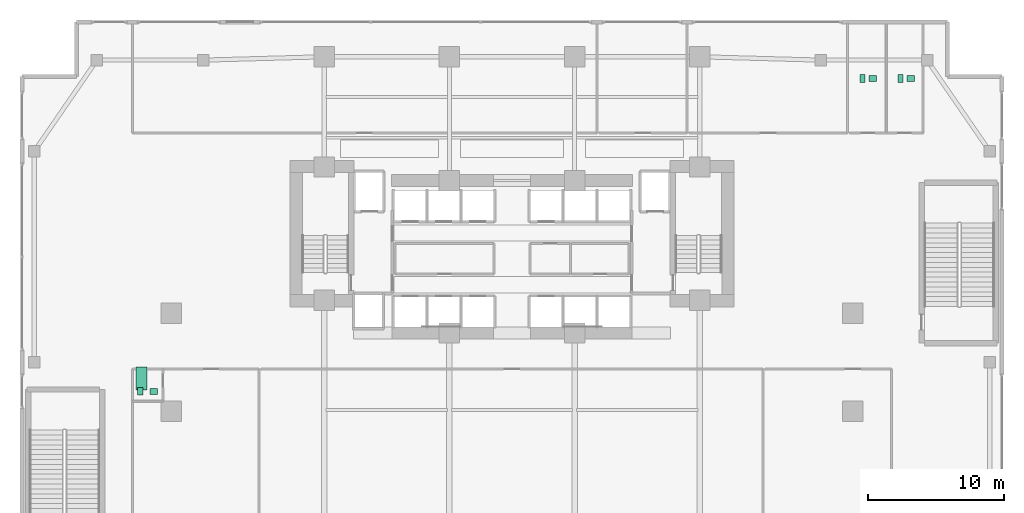
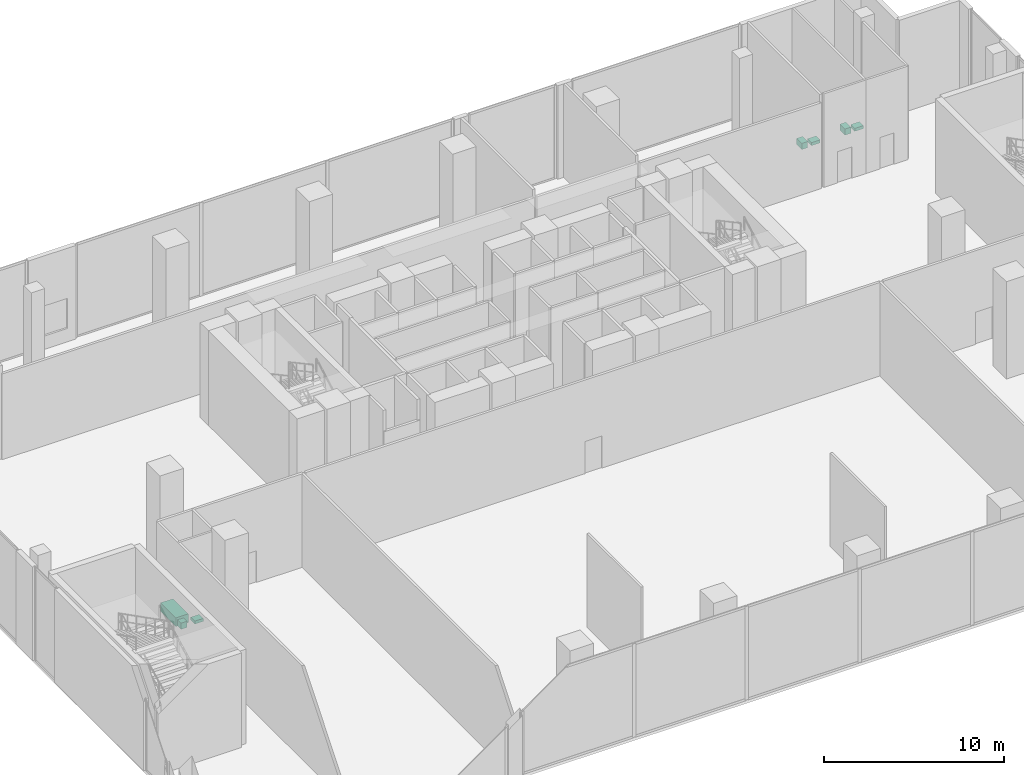
# One storey, part 30 of 30: 7 sanitary terminals.
"""IFC4 building model written with IfcOpenShell, lengths in metres."""

from ifc_helpers import new_model, si_unit, direction, frame, origin, origin_2d, place, context, subcontext, project, spatial, rectangle, extrude, material, type_object, element, save


model = new_model("IFC4")

# Units and contexts
model_context = context("Model", 3, precision=1e-05, world=origin(), true_north=direction((0.0, 1.0)))
body_context = subcontext(model_context, "Body", "Model", "MODEL_VIEW")
ifc_project = project(units=[si_unit("LENGTHUNIT", "METRE"), si_unit("AREAUNIT", "SQUARE_METRE"), si_unit("VOLUMEUNIT", "CUBIC_METRE"), si_unit("PLANEANGLEUNIT", "RADIAN"), si_unit("MASSUNIT", "GRAM", prefix="KILO")], contexts=[model_context])

# Site, building, storey
site_placement = place(None, origin())
site = spatial("IfcSite", under=ifc_project, at=site_placement, CompositionType="ELEMENT")
building_placement = place(site_placement, origin())
building = spatial("IfcBuilding", under=site, at=building_placement, Name="Zuhayl Quay Hotel", CompositionType="ELEMENT")
storey_placement = place(building_placement, frame((0.0, 0.0, 11.39990234375)))
storey = spatial("IfcBuildingStorey", under=building, at=storey_placement, Name="L02", CompositionType="ELEMENT", Elevation=11.39990234375)

# Sanitary terminals
ifc_material = material(Name="Vitreous Porcelain Sanitaryware")
sanitary_terminal_type_1 = type_object("IfcSanitaryTerminalType", Name="SAN_BASIN", PredefinedType="WASHHANDBASIN", material=ifc_material)
for number, where, z_axis, x_axis, name in (
    (1, (-26.31005859375, -2.139892578125, 0.0), (0.0, 0.0, 1.0), (1.0, 0.0, 0.0), "L02 Sanitary Fixture WASHHANDBASIN"),
    (2, (26.514892578125, 20.85009765625, 0.0), (0.0, 0.0, 1.0), (1.0, 0.0, 0.0), "L02 Sanitary Fixture WASHHANDBASIN"),
    (3, (29.284912109375, 20.85009765625, 0.0), (0.0, 0.0, 1.0), (1.0, 0.0, 0.0), "L02 Sanitary Fixture WASHHANDBASIN"),
):
    element("IfcSanitaryTerminal", number, at=place(storey_placement, frame(where, z_axis=z_axis, x_axis=x_axis)), inside=storey, type_object=sanitary_terminal_type_1, Name=name, PredefinedType="WASHHANDBASIN", context=body_context, shape_type="SweptSolid", body=[
        extrude(rectangle(XDim=0.550048828125, YDim=0.449951171875, at=origin_2d()), origin(), (0.0, 0.0, 1.0), 0.199951171875),
    ])
sanitary_terminal_type_2 = type_object("IfcSanitaryTerminalType", Name="SAN_BATH", PredefinedType="BATH", material=ifc_material)
sanitary_terminal_placement = place(storey_placement, frame((-27.2099609375, -1.18994140625, 0.0), z_axis=(0.0, 0.0, 1.0), x_axis=(1.0, 0.0, 0.0)))
element("IfcSanitaryTerminal", 4, at=sanitary_terminal_placement, inside=storey, type_object=sanitary_terminal_type_2, Name="L02 Sanitary Fixture BATH", PredefinedType="BATH", context=body_context, shape_type="SweptSolid", body=[
    extrude(rectangle(XDim=0.800048828125, YDim=1.699951171875, at=origin_2d()), origin(), (0.0, 0.0, 1.0), 0.580078125),
])
sanitary_terminal_type_3 = type_object("IfcSanitaryTerminalType", Name="SAN_WC", PredefinedType="TOILETPAN", material=ifc_material)
for number, where, z_axis, x_axis, name in (
    (5, (-27.31005859375, -2.139892578125, 0.000244140625), (0.0, 0.0, 1.0), (1.0, 0.0, 0.0), "L02 Sanitary Fixture TOILETPAN"),
    (6, (25.764892578125, 20.85009765625, 0.000244140625), (0.0, 0.0, 1.0), (1.0, 0.0, 0.0), "L02 Sanitary Fixture TOILETPAN"),
    (7, (28.534912109375, 20.85009765625, 0.000244140625), (0.0, 0.0, 1.0), (1.0, 0.0, 0.0), "L02 Sanitary Fixture TOILETPAN"),
):
    element("IfcSanitaryTerminal", number, at=place(storey_placement, frame(where, z_axis=z_axis, x_axis=x_axis)), inside=storey, type_object=sanitary_terminal_type_3, Name=name, PredefinedType="TOILETPAN", context=body_context, shape_type="SweptSolid", body=[
        extrude(rectangle(XDim=0.3798828125, YDim=0.56005859375, at=origin_2d()), origin(), (0.0, 0.0, 1.0), 0.419921875),
    ])

save(model, "model.ifc")
